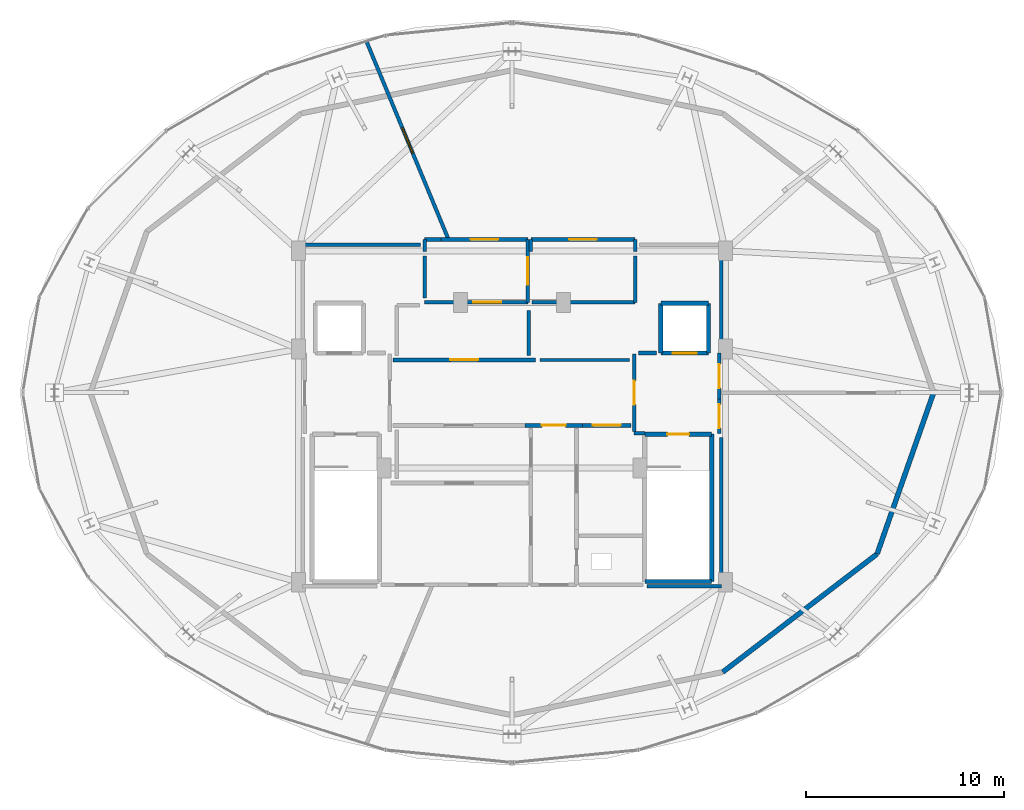
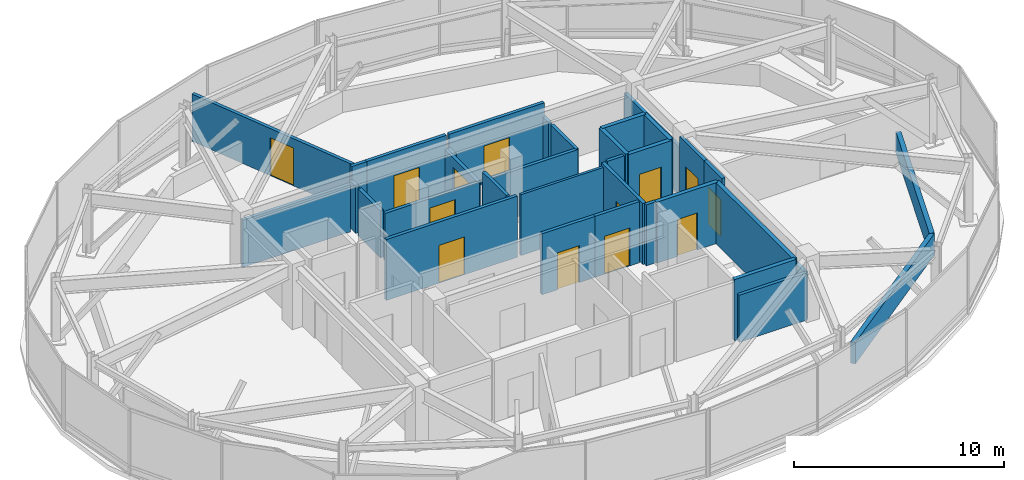
# One storey, part 26 of 28: 35 walls, 13 doors, 13 openings.
"""IFC4 building model written with IfcOpenShell, lengths in metres."""

from ifc_helpers import new_model, si_unit, direction, frame, frame_2d, origin, place, context, subcontext, project, spatial, rectangle, extrude, material, layer, layer_set, type_object, element, fill, save


model = new_model("IFC4")

# Units and contexts
model_context = context("Model", 3, precision=1e-05, world=origin(), true_north=direction((0.0, 1.0)))
body_context = subcontext(model_context, "Body", "Model", "MODEL_VIEW")
ifc_project = project(units=[si_unit("LENGTHUNIT", "METRE"), si_unit("AREAUNIT", "SQUARE_METRE"), si_unit("VOLUMEUNIT", "CUBIC_METRE"), si_unit("PLANEANGLEUNIT", "RADIAN"), si_unit("MASSUNIT", "GRAM", prefix="KILO")], contexts=[model_context])

# Site, building, storey
site_placement = place(None, origin())
site = spatial("IfcSite", under=ifc_project, at=site_placement, CompositionType="ELEMENT")
building_placement = place(site_placement, origin())
building = spatial("IfcBuilding", under=site, at=building_placement, Name="Vorneva Point Tower", CompositionType="ELEMENT")
storey_placement = place(building_placement, frame((0.0, 0.0, 295.39990234375)))
storey = spatial("IfcBuildingStorey", under=building, at=storey_placement, Name="C01", CompositionType="ELEMENT", Elevation=295.39990234375)

# Wall, opening, door
ifc_material_1 = material(Name="Concrete B60 (C50/60)", Category="concrete")
ifc_layer_1 = layer(ifc_material_1, 0.35009765625)
ifc_layer_set_1 = layer_set([ifc_layer_1], Name="Concrete B60 (C50/60)")
wall_type_1 = type_object("IfcWallType", Name="WL-CORE-350", PredefinedType="SHEAR", material=ifc_layer_set_1)
wall_1_placement = place(storey_placement, frame((45.5, 28.0, 0.0), z_axis=(0.0, 0.0, 1.0), x_axis=(1.0, 0.0, 0.0)))
wall_1 = element("IfcWall", 1, at=wall_1_placement, inside=storey, type_object=wall_type_1, Name="C01 Lift FFL2 Shaft Wall -Y", PredefinedType="SHEAR", context=body_context, shape_type="SweptSolid", body=[
    extrude(rectangle(XDim=2.39990234375, YDim=0.219970703125, at=frame_2d((1.199951171875, 0.0))), origin(), (0.0, 0.0, 1.0), 3.550048828125),
])
opening_1_placement = place(wall_1_placement, frame((0.60009765625, 0.0, 0.0)))
opening_1 = element("IfcOpeningElement", 2, at=opening_1_placement, cuts=wall_1, Name="Opening LD-02", PredefinedType="OPENING", context=body_context, shape_type="SweptSolid", body=[
    extrude(rectangle(XDim=1.199951171875, YDim=2.199951171875, at=frame_2d((0.60009765625, 1.10009765625))), frame((0.0, 0.125, 0.0), z_axis=(0.0, -1.0, 0.0), x_axis=(1.0, 0.0, 0.0)), (0.0, 0.0, 1.0), 0.249755859375),
])
ifc_material_2 = material(Name="Brushed stainless steel S304", Category="steel")
door_type_1 = type_object("IfcDoorType", Name="LD-FIRE-1200", OperationType="SLIDING_TO_LEFT", PredefinedType="DOOR", material=ifc_material_2)
door_1_placement = place(opening_1_placement, origin())
door_1 = element("IfcDoor", 3, at=door_1_placement, inside=storey, type_object=door_type_1, Name="C01 Lift FFL2 Sliding Landing Door", OperationType="SLIDING_TO_LEFT", OverallHeight=2.199951171875, OverallWidth=1.199951171875, PredefinedType="DOOR", context=body_context, shape_type="SweptSolid", body=[
    extrude(rectangle(XDim=1.199951171875, YDim=2.199951171875, at=frame_2d((0.60009765625, 1.10009765625))), frame((0.0, 0.02490234375, 0.0), z_axis=(0.0, -1.0, 0.0), x_axis=(1.0, 0.0, 0.0)), (0.0, 0.0, 1.0), 0.050048828125),
])
fill(opening_1, door_1)

# Walls
wall_2_placement = place(storey_placement, frame((47.89990234375, 28.0, 0.0), z_axis=(0.0, 0.0, 1.0), x_axis=(0.0, 1.0, 0.0)))
element("IfcWall", 4, at=wall_2_placement, inside=storey, type_object=wall_type_1, Name="C01 Lift FFL2 Shaft Wall +X", PredefinedType="SHEAR", context=body_context, shape_type="SweptSolid", body=[
    extrude(rectangle(XDim=2.5, YDim=0.219970703125, at=frame_2d((1.25, 0.0))), origin(), (0.0, 0.0, 1.0), 3.550048828125),
])
wall_3_placement = place(storey_placement, frame((47.89990234375, 30.5, 0.0), z_axis=(0.0, 0.0, 1.0), x_axis=(-1.0, 0.0, 0.0)))
element("IfcWall", 5, at=wall_3_placement, inside=storey, type_object=wall_type_1, Name="C01 Lift FFL2 Shaft Wall +Y", PredefinedType="SHEAR", context=body_context, shape_type="SweptSolid", body=[
    extrude(rectangle(XDim=2.39990234375, YDim=0.219970703125, at=frame_2d((1.199951171875, 0.0))), origin(), (0.0, 0.0, 1.0), 3.550048828125),
])
wall_4_placement = place(storey_placement, frame((45.5, 30.5, 0.0), z_axis=(0.0, 0.0, 1.0), x_axis=(0.0, -1.0, 0.0)))
element("IfcWall", 6, at=wall_4_placement, inside=storey, type_object=wall_type_1, Name="C01 Lift FFL2 Shaft Wall -X", PredefinedType="SHEAR", context=body_context, shape_type="SweptSolid", body=[
    extrude(rectangle(XDim=2.5, YDim=0.219970703125, at=frame_2d((1.25, 0.0))), origin(), (0.0, 0.0, 1.0), 3.550048828125),
])
ifc_material_3 = material(Name="Precast concrete B50 (C40/50)", Category="concrete")
ifc_layer_2 = layer(ifc_material_3, 0.25)
ifc_layer_set_2 = layer_set([ifc_layer_2], Name="Precast concrete B50 (C40/50)")
wall_type_2 = type_object("IfcWallType", Name="WL-PAR-250", PredefinedType="PARAPET", material=ifc_layer_set_2)
wall_5_placement = place(storey_placement, frame((48.62109375, 11.927001953125, 0.0), z_axis=(0.0, 0.0, 1.0), x_axis=(0.794235350053, 0.607610244092, 0.0)))
element("IfcWall", 7, at=wall_5_placement, inside=storey, type_object=wall_type_2, Name="C01 Crown Maintenance Parapet Ring Wall 11", PredefinedType="PARAPET", context=body_context, shape_type="SweptSolid", body=[
    extrude(rectangle(XDim=9.7890625, YDim=0.25, at=frame_2d((4.89453125, 0.0))), origin(), (0.0, 0.0, 1.0), 1.25),
])
wall_6_placement = place(storey_placement, frame((56.39599609375, 17.875, 0.0), z_axis=(0.0, 0.0, 1.0), x_axis=(0.330577790312, 0.943778747669, 0.0)))
element("IfcWall", 8, at=wall_6_placement, inside=storey, type_object=wall_type_2, Name="C01 Crown Maintenance Parapet Ring Wall 12", PredefinedType="PARAPET", context=body_context, shape_type="SweptSolid", body=[
    extrude(rectangle(XDim=8.609130859375, YDim=0.25, at=frame_2d((4.3046875, 0.0))), origin(), (0.0, 0.0, 1.0), 1.25),
])
ifc_material_4 = material(Name="Fire-rated acoustic gypsum stud partition", Category="gypsum")
ifc_layer_3 = layer(ifc_material_4, 0.139892578125)
ifc_layer_set_3 = layer_set([ifc_layer_3], Name="Fire-rated acoustic gypsum stud partition")
wall_type_3 = type_object("IfcWallType", Name="WL-PART-140", PredefinedType="PARTITIONING", material=ifc_layer_set_3)
wall_7_placement = place(storey_placement, frame((43.929931640625, 27.64990234375, 0.0), z_axis=(0.0, 0.0, 1.0), x_axis=(-1.0, 0.0, 0.0)))
element("IfcWall", 9, at=wall_7_placement, inside=storey, type_object=wall_type_3, Name="C01 Interior Closure Partition 034", PredefinedType="PARTITIONING", context=body_context, shape_type="SweptSolid", body=[
    extrude(rectangle(XDim=4.52001953125, YDim=0.139892578125, at=frame_2d((2.260009765625, 0.0))), origin(), (0.0, 0.0, 1.0), 3.550048828125),
])

# Wall, opening, door
ifc_material_5 = material(Name="Autoclaved aerated concrete blockwork", Category="masonry")
ifc_layer_4 = layer(ifc_material_5, 0.179931640625)
ifc_layer_set_4 = layer_set([ifc_layer_4], Name="Autoclaved aerated concrete blockwork")
wall_type_4 = type_object("IfcWallType", Name="WL-PART-180", PredefinedType="PARTITIONING", material=ifc_layer_set_4)
wall_8_placement = place(storey_placement, frame((44.14990234375, 27.955078125, 0.0), z_axis=(0.0, 0.0, 1.0), x_axis=(0.0, -1.0, 0.0)))
wall_8 = element("IfcWall", 10, at=wall_8_placement, inside=storey, type_object=wall_type_4, Name="C01 Interior Partition 003", PredefinedType="PARTITIONING", context=body_context, shape_type="SweptSolid", body=[
    extrude(rectangle(XDim=3.91015625, YDim=0.179931640625, at=frame_2d((1.955078125, 0.0))), origin(), (0.0, 0.0, 1.0), 3.550048828125),
])
opening_2_placement = place(wall_8_placement, frame((1.35498046875, 0.0, 0.0)))
opening_2 = element("IfcOpeningElement", 11, at=opening_2_placement, cuts=wall_8, Name="Opening FD-02", PredefinedType="OPENING", context=body_context, shape_type="SweptSolid", body=[
    extrude(rectangle(XDim=1.199951171875, YDim=2.14990234375, at=frame_2d((0.60009765625, 1.074951171875))), frame((0.0, 0.10498046875, 0.0), z_axis=(0.0, -1.0, 0.0), x_axis=(1.0, 0.0, 0.0)), (0.0, 0.0, 1.0), 0.209716796875),
])
ifc_material_6 = material(Name="Fire-rated powder-coated steel", Category="steel")
door_type_2 = type_object("IfcDoorType", Name="DR-FFL-1200", OperationType="NOTDEFINED", PredefinedType="DOOR", material=ifc_material_6)
door_2_placement = place(opening_2_placement, origin())
door_2 = element("IfcDoor", 12, at=door_2_placement, inside=storey, type_object=door_type_2, Name="C01 Door East Firefighting Lobby / Central Lift Lobby", OperationType="SINGLE_SWING_RIGHT", OverallHeight=2.14990234375, OverallWidth=1.199951171875, PredefinedType="DOOR", context=body_context, shape_type="SweptSolid", body=[
    extrude(rectangle(XDim=1.199951171875, YDim=2.14990234375, at=frame_2d((0.60009765625, 1.074951171875))), frame((0.0, 0.02490234375, 0.0), z_axis=(0.0, -1.0, 0.0), x_axis=(1.0, 0.0, 0.0)), (0.0, 0.0, 1.0), 0.050048828125),
])
fill(opening_2, door_2)

# Wall
wall_9_placement = place(storey_placement, frame((44.14990234375, 23.949951171875, 0.0), z_axis=(0.0, 0.0, 1.0), x_axis=(1.0, 0.0, 0.0)))
element("IfcWall", 13, at=wall_9_placement, inside=storey, type_object=wall_type_4, Name="C01 Interior Partition 004", PredefinedType="PARTITIONING", context=body_context, shape_type="SweptSolid", body=[
    extrude(rectangle(XDim=0.5400390625, YDim=0.179931640625, at=frame_2d((0.27001953125, 0.0))), origin(), (0.0, 0.0, 1.0), 3.550048828125),
])

# Wall, opening, door
wall_10_placement = place(storey_placement, frame((48.449951171875, 25.675048828125, 0.0), z_axis=(0.0, 0.0, 1.0), x_axis=(0.0, 1.0, 0.0)))
wall_10 = element("IfcWall", 14, at=wall_10_placement, inside=storey, type_object=wall_type_4, Name="C01 Interior Partition 005", PredefinedType="PARTITIONING", context=body_context, shape_type="SweptSolid", body=[
    extrude(rectangle(XDim=2.324951171875, YDim=0.179931640625, at=frame_2d((1.16259765625, 0.0))), origin(), (0.0, 0.0, 1.0), 3.550048828125),
])
opening_3_placement = place(wall_10_placement, frame((0.5625, 0.0, 0.0)))
opening_3 = element("IfcOpeningElement", 15, at=opening_3_placement, cuts=wall_10, Name="Opening FD-02", PredefinedType="OPENING", context=body_context, shape_type="SweptSolid", body=[
    extrude(rectangle(XDim=1.199951171875, YDim=2.14990234375, at=frame_2d((0.60009765625, 1.074951171875))), frame((0.0, 0.10498046875, 0.0), z_axis=(0.0, -1.0, 0.0), x_axis=(1.0, 0.0, 0.0)), (0.0, 0.0, 1.0), 0.209716796875),
])
door_3_placement = place(opening_3_placement, origin())
door_3 = element("IfcDoor", 16, at=door_3_placement, inside=storey, type_object=door_type_2, Name="C01 Door East Firefighting Lobby / Crown Tuned Mass Damper Plant Room", OperationType="SINGLE_SWING_LEFT", OverallHeight=2.14990234375, OverallWidth=1.199951171875, PredefinedType="DOOR", context=body_context, shape_type="SweptSolid", body=[
    extrude(rectangle(XDim=1.199951171875, YDim=2.14990234375, at=frame_2d((0.60009765625, 1.074951171875))), frame((0.0, 0.02490234375, 0.0), z_axis=(0.0, -1.0, 0.0), x_axis=(1.0, 0.0, 0.0)), (0.0, 0.0, 1.0), 0.050048828125),
])
fill(opening_3, door_3)

wall_11_placement = place(storey_placement, frame((48.449951171875, 23.949951171875, 0.0), z_axis=(0.0, 0.0, 1.0), x_axis=(0.0, 1.0, 0.0)))
wall_11 = element("IfcWall", 17, at=wall_11_placement, inside=storey, type_object=wall_type_4, Name="C01 Interior Partition 006", PredefinedType="PARTITIONING", context=body_context, shape_type="SweptSolid", body=[
    extrude(rectangle(XDim=1.72509765625, YDim=0.179931640625, at=frame_2d((0.862548828125, 0.0))), origin(), (0.0, 0.0, 1.0), 3.550048828125),
])
opening_4_placement = place(wall_11_placement, frame((0.262451171875, 0.0, 0.0)))
opening_4 = element("IfcOpeningElement", 18, at=opening_4_placement, cuts=wall_11, Name="Opening FD-02", PredefinedType="OPENING", context=body_context, shape_type="SweptSolid", body=[
    extrude(rectangle(XDim=1.199951171875, YDim=2.14990234375, at=frame_2d((0.60009765625, 1.074951171875))), frame((0.0, 0.10498046875, 0.0), z_axis=(0.0, -1.0, 0.0), x_axis=(1.0, 0.0, 0.0)), (0.0, 0.0, 1.0), 0.209716796875),
])
door_4_placement = place(opening_4_placement, origin())
door_4 = element("IfcDoor", 19, at=door_4_placement, inside=storey, type_object=door_type_2, Name="C01 Door East Firefighting Lobby / Crown Electrical Switchgear Plant Room", OperationType="SINGLE_SWING_LEFT", OverallHeight=2.14990234375, OverallWidth=1.199951171875, PredefinedType="DOOR", context=body_context, shape_type="SweptSolid", body=[
    extrude(rectangle(XDim=1.199951171875, YDim=2.14990234375, at=frame_2d((0.60009765625, 1.074951171875))), frame((0.0, 0.02490234375, 0.0), z_axis=(0.0, -1.0, 0.0), x_axis=(1.0, 0.0, 0.0)), (0.0, 0.0, 1.0), 0.050048828125),
])
fill(opening_4, door_4)

wall_12_placement = place(storey_placement, frame((38.64501953125, 24.35009765625, 0.0), z_axis=(0.0, 0.0, 1.0), x_axis=(1.0, 0.0, 0.0)))
wall_12 = element("IfcWall", 20, at=wall_12_placement, inside=storey, type_object=wall_type_4, Name="C01 Interior Partition 007", PredefinedType="PARTITIONING", context=body_context, shape_type="SweptSolid", body=[
    extrude(rectangle(XDim=2.909912109375, YDim=0.179931640625, at=frame_2d((1.455078125, 0.0))), origin(), (0.0, 0.0, 1.0), 3.550048828125),
])
opening_5_placement = place(wall_12_placement, frame((0.85498046875, 0.0, 0.0)))
opening_5 = element("IfcOpeningElement", 21, at=opening_5_placement, cuts=wall_12, Name="Opening FD-02", PredefinedType="OPENING", context=body_context, shape_type="SweptSolid", body=[
    extrude(rectangle(XDim=1.199951171875, YDim=2.14990234375, at=frame_2d((0.60009765625, 1.074951171875))), frame((0.0, 0.10498046875, 0.0), z_axis=(0.0, -1.0, 0.0), x_axis=(1.0, 0.0, 0.0)), (0.0, 0.0, 1.0), 0.209716796875),
])
door_5_placement = place(opening_5_placement, origin())
door_5 = element("IfcDoor", 22, at=door_5_placement, inside=storey, type_object=door_type_2, Name="C01 Door Central Lift Lobby / Core Service Lobby", OperationType="SINGLE_SWING_RIGHT", OverallHeight=2.14990234375, OverallWidth=1.199951171875, PredefinedType="DOOR", context=body_context, shape_type="SweptSolid", body=[
    extrude(rectangle(XDim=1.199951171875, YDim=2.14990234375, at=frame_2d((0.60009765625, 1.074951171875))), frame((0.0, 0.02490234375, 0.0), z_axis=(0.0, -1.0, 0.0), x_axis=(1.0, 0.0, 0.0)), (0.0, 0.0, 1.0), 0.050048828125),
])
fill(opening_5, door_5)

wall_13_placement = place(storey_placement, frame((41.554931640625, 24.35009765625, 0.0), z_axis=(0.0, 0.0, 1.0), x_axis=(1.0, 0.0, 0.0)))
wall_13 = element("IfcWall", 23, at=wall_13_placement, inside=storey, type_object=wall_type_4, Name="C01 Interior Partition 008", PredefinedType="PARTITIONING", context=body_context, shape_type="SweptSolid", body=[
    extrude(rectangle(XDim=2.445068359375, YDim=0.179931640625, at=frame_2d((1.22265625, 0.0))), origin(), (0.0, 0.0, 1.0), 3.550048828125),
])
opening_6_placement = place(wall_13_placement, frame((0.5224609375, 0.0, 0.0)))
opening_6 = element("IfcOpeningElement", 24, at=opening_6_placement, cuts=wall_13, Name="Opening FD-03", PredefinedType="OPENING", context=body_context, shape_type="SweptSolid", body=[
    extrude(rectangle(XDim=1.39990234375, YDim=2.199951171875, at=frame_2d((0.699951171875, 1.10009765625))), frame((0.0, 0.10498046875, 0.0), z_axis=(0.0, -1.0, 0.0), x_axis=(1.0, 0.0, 0.0)), (0.0, 0.0, 1.0), 0.209716796875),
])
door_type_3 = type_object("IfcDoorType", Name="DR-PLT-1400", OperationType="DOUBLE_SWING_LEFT", PredefinedType="DOOR", material=ifc_material_6)
door_6_placement = place(opening_6_placement, origin())
door_6 = element("IfcDoor", 25, at=door_6_placement, inside=storey, type_object=door_type_3, Name="C01 Door Central Lift Lobby / Core BMS Control Plant C01", OperationType="DOUBLE_SWING_LEFT", OverallHeight=2.199951171875, OverallWidth=1.39990234375, PredefinedType="DOOR", context=body_context, shape_type="SweptSolid", body=[
    extrude(rectangle(XDim=1.39990234375, YDim=2.199951171875, at=frame_2d((0.699951171875, 1.10009765625))), frame((0.0, 0.02490234375, 0.0), z_axis=(0.0, -1.0, 0.0), x_axis=(1.0, 0.0, 0.0)), (0.0, 0.0, 1.0), 0.050048828125),
])
fill(opening_6, door_6)

wall_14_placement = place(storey_placement, frame((39.18994140625, 27.64990234375, 0.0), z_axis=(0.0, 0.0, 1.0), x_axis=(-1.0, 0.0, 0.0)))
wall_14 = element("IfcWall", 26, at=wall_14_placement, inside=storey, type_object=wall_type_4, Name="C01 Interior Partition 009", PredefinedType="PARTITIONING", context=body_context, shape_type="SweptSolid", body=[
    extrude(rectangle(XDim=7.18994140625, YDim=0.179931640625, at=frame_2d((3.594970703125, 0.0))), origin(), (0.0, 0.0, 1.0), 3.550048828125),
])
opening_7_placement = place(wall_14_placement, frame((2.89501953125, 0.0, 0.0)))
opening_7 = element("IfcOpeningElement", 27, at=opening_7_placement, cuts=wall_14, Name="Opening FD-03", PredefinedType="OPENING", context=body_context, shape_type="SweptSolid", body=[
    extrude(rectangle(XDim=1.39990234375, YDim=2.199951171875, at=frame_2d((0.699951171875, 1.10009765625))), frame((0.0, 0.10498046875, 0.0), z_axis=(0.0, -1.0, 0.0), x_axis=(1.0, 0.0, 0.0)), (0.0, 0.0, 1.0), 0.209716796875),
])
door_7_placement = place(opening_7_placement, origin())
door_7 = element("IfcDoor", 28, at=door_7_placement, inside=storey, type_object=door_type_3, Name="C01 Door Central Lift Lobby / Crown Mechanical Plenum C01", OperationType="DOUBLE_SWING_LEFT", OverallHeight=2.199951171875, OverallWidth=1.39990234375, PredefinedType="DOOR", context=body_context, shape_type="SweptSolid", body=[
    extrude(rectangle(XDim=1.39990234375, YDim=2.199951171875, at=frame_2d((0.699951171875, 1.10009765625))), frame((0.0, 0.02490234375, 0.0), z_axis=(0.0, -1.0, 0.0), x_axis=(1.0, 0.0, 0.0)), (0.0, 0.0, 1.0), 0.050048828125),
])
fill(opening_7, door_7)

wall_15_placement = place(storey_placement, frame((38.800048828125, 30.550048828125, 0.0), z_axis=(0.0, 0.0, 1.0), x_axis=(0.0, 1.0, 0.0)))
wall_15 = element("IfcWall", 29, at=wall_15_placement, inside=storey, type_object=wall_type_4, Name="C01 Interior Partition 016", PredefinedType="PARTITIONING", context=body_context, shape_type="SweptSolid", body=[
    extrude(rectangle(XDim=3.169921875, YDim=0.179931640625, at=frame_2d((1.5849609375, 0.0))), origin(), (0.0, 0.0, 1.0), 2.7421875),
])
opening_8_placement = place(wall_15_placement, frame((0.885009765625, 0.0, 0.0)))
opening_8 = element("IfcOpeningElement", 30, at=opening_8_placement, cuts=wall_15, Name="Opening FD-03", PredefinedType="OPENING", context=body_context, shape_type="SweptSolid", body=[
    extrude(rectangle(XDim=1.39990234375, YDim=2.199951171875, at=frame_2d((0.699951171875, 1.10009765625))), frame((0.0, 0.10498046875, 0.0), z_axis=(0.0, -1.0, 0.0), x_axis=(1.0, 0.0, 0.0)), (0.0, 0.0, 1.0), 0.209716796875),
])
door_8_placement = place(opening_8_placement, origin())
door_8 = element("IfcDoor", 31, at=door_8_placement, inside=storey, type_object=door_type_3, Name="C01 Door Core Smoke Extract Plant C01 / Core Electrical Switchgear Room C01", OperationType="DOUBLE_SWING_LEFT", OverallHeight=2.199951171875, OverallWidth=1.39990234375, PredefinedType="DOOR", context=body_context, shape_type="SweptSolid", body=[
    extrude(rectangle(XDim=1.39990234375, YDim=2.199951171875, at=frame_2d((0.699951171875, 1.10009765625))), frame((0.0, 0.02490234375, 0.0), z_axis=(0.0, -1.0, 0.0), x_axis=(1.0, 0.0, 0.0)), (0.0, 0.0, 1.0), 0.050048828125),
])
fill(opening_8, door_8)

wall_16_placement = place(storey_placement, frame((33.60009765625, 30.550048828125, 0.0), z_axis=(0.0, 0.0, 1.0), x_axis=(1.0, 0.0, 0.0)))
wall_16 = element("IfcWall", 32, at=wall_16_placement, inside=storey, type_object=wall_type_4, Name="C01 Interior Partition 017", PredefinedType="PARTITIONING", context=body_context, shape_type="SweptSolid", body=[
    extrude(rectangle(XDim=5.199951171875, YDim=0.179931640625, at=frame_2d((2.60009765625, 0.0))), origin(), (0.0, 0.0, 1.0), 2.7421875),
])
opening_9_placement = place(wall_16_placement, frame((2.4599609375, 0.0, 0.0)))
opening_9 = element("IfcOpeningElement", 33, at=opening_9_placement, cuts=wall_16, Name="Opening FD-03", PredefinedType="OPENING", context=body_context, shape_type="SweptSolid", body=[
    extrude(rectangle(XDim=1.39990234375, YDim=2.199951171875, at=frame_2d((0.699951171875, 1.10009765625))), frame((0.0, 0.10498046875, 0.0), z_axis=(0.0, -1.0, 0.0), x_axis=(1.0, 0.0, 0.0)), (0.0, 0.0, 1.0), 0.209716796875),
])
door_9_placement = place(opening_9_placement, origin())
door_9 = element("IfcDoor", 34, at=door_9_placement, inside=storey, type_object=door_type_3, Name="C01 Door Core Smoke Extract Plant C01 / Crown Mechanical Plenum C01", OperationType="DOUBLE_SWING_LEFT", OverallHeight=2.199951171875, OverallWidth=1.39990234375, PredefinedType="DOOR", context=body_context, shape_type="SweptSolid", body=[
    extrude(rectangle(XDim=1.39990234375, YDim=2.199951171875, at=frame_2d((0.699951171875, 1.10009765625))), frame((0.0, 0.02490234375, 0.0), z_axis=(0.0, -1.0, 0.0), x_axis=(1.0, 0.0, 0.0)), (0.0, 0.0, 1.0), 0.050048828125),
])
fill(opening_9, door_9)

wall_17_placement = place(storey_placement, frame((38.800048828125, 33.719970703125, 0.0), z_axis=(0.0, 0.0, 1.0), x_axis=(-1.0, 0.0, 0.0)))
wall_17 = element("IfcWall", 35, at=wall_17_placement, inside=storey, type_object=wall_type_4, Name="C01 Interior Partition 018", PredefinedType="PARTITIONING", context=body_context, shape_type="SweptSolid", body=[
    extrude(rectangle(XDim=4.365966796875, YDim=0.179931640625, at=frame_2d((2.18310546875, 0.0))), origin(), (0.0, 0.0, 1.0), 3.550048828125),
])
opening_10_placement = place(wall_17_placement, frame((1.48291015625, 0.0, 0.0)))
opening_10 = element("IfcOpeningElement", 36, at=opening_10_placement, cuts=wall_17, Name="Opening FD-03", PredefinedType="OPENING", context=body_context, shape_type="SweptSolid", body=[
    extrude(rectangle(XDim=1.39990234375, YDim=2.199951171875, at=frame_2d((0.699951171875, 1.10009765625))), frame((0.0, 0.10498046875, 0.0), z_axis=(0.0, -1.0, 0.0), x_axis=(1.0, 0.0, 0.0)), (0.0, 0.0, 1.0), 0.209716796875),
])
door_10_placement = place(opening_10_placement, origin())
door_10 = element("IfcDoor", 37, at=door_10_placement, inside=storey, type_object=door_type_3, Name="C01 Door Core Smoke Extract Plant C01 / Crown Tuned Mass Damper Plant Room", OperationType="DOUBLE_SWING_LEFT", OverallHeight=2.199951171875, OverallWidth=1.39990234375, PredefinedType="DOOR", context=body_context, shape_type="SweptSolid", body=[
    extrude(rectangle(XDim=1.39990234375, YDim=2.199951171875, at=frame_2d((0.699951171875, 1.10009765625))), frame((0.0, 0.02490234375, 0.0), z_axis=(0.0, -1.0, 0.0), x_axis=(1.0, 0.0, 0.0)), (0.0, 0.0, 1.0), 0.050048828125),
])
fill(opening_10, door_10)

# Walls
wall_18_placement = place(storey_placement, frame((34.43408203125, 33.719970703125, 0.0), z_axis=(0.0, 0.0, 1.0), x_axis=(-1.0, 0.0, 0.0)))
element("IfcWall", 38, at=wall_18_placement, inside=storey, type_object=wall_type_4, Name="C01 Interior Partition 019", PredefinedType="PARTITIONING", context=body_context, shape_type="SweptSolid", body=[
    extrude(rectangle(XDim=0.833984375, YDim=0.179931640625, at=frame_2d((0.4169921875, 0.0))), origin(), (0.0, 0.0, 1.0), 3.550048828125),
])
wall_19_placement = place(storey_placement, frame((33.60009765625, 33.719970703125, 0.0), z_axis=(0.0, 0.0, 1.0), x_axis=(0.0, -1.0, 0.0)))
element("IfcWall", 39, at=wall_19_placement, inside=storey, type_object=wall_type_4, Name="C01 Interior Partition 020", PredefinedType="PARTITIONING", context=body_context, shape_type="SweptSolid", body=[
    extrude(rectangle(XDim=0.60986328125, YDim=0.179931640625, at=frame_2d((0.304931640625, 0.0))), origin(), (0.0, 0.0, 1.0), 2.7421875),
])

# Wall, opening, door
wall_20_placement = place(storey_placement, frame((44.199951171875, 33.719970703125, 0.0), z_axis=(0.0, 0.0, 1.0), x_axis=(-1.0, 0.0, 0.0)))
wall_20 = element("IfcWall", 40, at=wall_20_placement, inside=storey, type_object=wall_type_4, Name="C01 Interior Partition 021", PredefinedType="PARTITIONING", context=body_context, shape_type="SweptSolid", body=[
    extrude(rectangle(XDim=5.25, YDim=0.179931640625, at=frame_2d((2.625, 0.0))), origin(), (0.0, 0.0, 1.0), 3.550048828125),
])
opening_11_placement = place(wall_20_placement, frame((1.925048828125, 0.0, 0.0)))
opening_11 = element("IfcOpeningElement", 41, at=opening_11_placement, cuts=wall_20, Name="Opening FD-03", PredefinedType="OPENING", context=body_context, shape_type="SweptSolid", body=[
    extrude(rectangle(XDim=1.39990234375, YDim=2.199951171875, at=frame_2d((0.699951171875, 1.10009765625))), frame((0.0, 0.10498046875, 0.0), z_axis=(0.0, -1.0, 0.0), x_axis=(1.0, 0.0, 0.0)), (0.0, 0.0, 1.0), 0.209716796875),
])
door_11_placement = place(opening_11_placement, origin())
door_11 = element("IfcDoor", 42, at=door_11_placement, inside=storey, type_object=door_type_3, Name="C01 Door Core Electrical Switchgear Room C01 / Crown Tuned Mass Damper Plant Room", OperationType="DOUBLE_SWING_LEFT", OverallHeight=2.199951171875, OverallWidth=1.39990234375, PredefinedType="DOOR", context=body_context, shape_type="SweptSolid", body=[
    extrude(rectangle(XDim=1.39990234375, YDim=2.199951171875, at=frame_2d((0.699951171875, 1.10009765625))), frame((0.0, 0.02490234375, 0.0), z_axis=(0.0, -1.0, 0.0), x_axis=(1.0, 0.0, 0.0)), (0.0, 0.0, 1.0), 0.050048828125),
])
fill(opening_11, door_11)

# Walls
for number, where, z_axis, x_axis, name in (
    (43, (38.949951171875, 33.719970703125, 0.0), (0.0, 0.0, 1.0), (0.0, -1.0, 0.0), "C01 Interior Partition 022"),
    (44, (44.199951171875, 33.110107421875, 0.0), (0.0, 0.0, 1.0), (0.0, 1.0, 0.0), "C01 Interior Partition 023"),
):
    element("IfcWall", number, at=place(storey_placement, frame(where, z_axis=z_axis, x_axis=x_axis)), inside=storey, type_object=wall_type_4, Name=name, PredefinedType="PARTITIONING", context=body_context, shape_type="SweptSolid", body=[
        extrude(rectangle(XDim=0.60986328125, YDim=0.179931640625, at=frame_2d((0.304931640625, 0.0))), origin(), (0.0, 0.0, 1.0), 2.7421875),
    ])

# Wall, opening, door
wall_21_placement = place(storey_placement, frame((30.672119140625, 43.693115234375, 0.0), z_axis=(0.0, 0.0, 1.0), x_axis=(0.382594163497, -0.923916503835, 0.0)))
wall_21 = element("IfcWall", 45, at=wall_21_placement, inside=storey, type_object=wall_type_4, Name="C01 Interior Partition 029", PredefinedType="PARTITIONING", context=body_context, shape_type="SweptSolid", body=[
    extrude(rectangle(XDim=10.79443359375, YDim=0.179931640625, at=frame_2d((5.397216796875, 0.0))), origin(), (0.0, 0.0, 1.0), 2.7421875),
])
opening_12_placement = place(wall_21_placement, frame((4.697265625, 0.0, 0.0)))
opening_12 = element("IfcOpeningElement", 46, at=opening_12_placement, cuts=wall_21, Name="Opening FD-03", PredefinedType="OPENING", context=body_context, shape_type="SweptSolid", body=[
    extrude(rectangle(XDim=1.39990234375, YDim=2.199951171875, at=frame_2d((0.699951171875, 1.10009765625))), frame((0.0, 0.10498046875, 0.0), z_axis=(0.0, -1.0, 0.0), x_axis=(1.0, 0.0, 0.0)), (0.0, 0.0, 1.0), 0.209716796875),
])
door_12_placement = place(opening_12_placement, origin())
door_12 = element("IfcDoor", 47, at=door_12_placement, inside=storey, type_object=door_type_3, Name="C01 Door Crown Tuned Mass Damper Plant Room / Crown Heat Recovery Air Handling Plant", OperationType="DOUBLE_SWING_LEFT", OverallHeight=2.199951171875, OverallWidth=1.39990234375, PredefinedType="DOOR", context=body_context, shape_type="SweptSolid", body=[
    extrude(rectangle(XDim=1.39990234375, YDim=2.199951171875, at=frame_2d((0.699951171875, 1.10009765625))), frame((0.0, 0.02490234375, 0.0), z_axis=(0.0, -1.0, 0.0), x_axis=(1.0, 0.0, 0.0)), (0.0, 0.0, 1.0), 0.050048828125),
])
fill(opening_12, door_12)

# Walls
wall_22_placement = place(storey_placement, frame((45.280029296875, 28.0, 0.0), z_axis=(0.0, 0.0, 1.0), x_axis=(-1.0, 0.0, 0.0)))
element("IfcWall", 48, at=wall_22_placement, inside=storey, type_object=wall_type_4, Name="C01 Interior Closure Partition 033", PredefinedType="PARTITIONING", context=body_context, shape_type="SweptSolid", body=[
    extrude(rectangle(XDim=0.9150390625, YDim=0.179931640625, at=frame_2d((0.45751953125, 0.0))), origin(), (0.0, 0.0, 1.0), 3.550048828125),
])
wall_23_placement = place(storey_placement, frame((33.60009765625, 32.889892578125, 0.0), z_axis=(0.0, 0.0, 1.0), x_axis=(0.0, -1.0, 0.0)))
element("IfcWall", 49, at=wall_23_placement, inside=storey, type_object=wall_type_4, Name="C01 Interior Closure Partition 035", PredefinedType="PARTITIONING", context=body_context, shape_type="SweptSolid", body=[
    extrude(rectangle(XDim=2.119873046875, YDim=0.179931640625, at=frame_2d((1.06005859375, 0.0))), origin(), (0.0, 0.0, 1.0), 2.7421875),
])
wall_24_placement = place(storey_placement, frame((39.02001953125, 30.550048828125, 0.0), z_axis=(0.0, 0.0, 1.0), x_axis=(1.0, 0.0, 0.0)))
element("IfcWall", 50, at=wall_24_placement, inside=storey, type_object=wall_type_4, Name="C01 Interior Closure Partition 036", PredefinedType="PARTITIONING", context=body_context, shape_type="SweptSolid", body=[
    extrude(rectangle(XDim=5.179931640625, YDim=0.179931640625, at=frame_2d((2.58984375, 0.0))), origin(), (0.0, 0.0, 1.0), 2.7421875),
])
wall_25_placement = place(storey_placement, frame((44.199951171875, 30.550048828125, 0.0), z_axis=(0.0, 0.0, 1.0), x_axis=(0.0, 1.0, 0.0)))
element("IfcWall", 51, at=wall_25_placement, inside=storey, type_object=wall_type_4, Name="C01 Interior Closure Partition 037", PredefinedType="PARTITIONING", context=body_context, shape_type="SweptSolid", body=[
    extrude(rectangle(XDim=2.33984375, YDim=0.179931640625, at=frame_2d((1.169921875, 0.0))), origin(), (0.0, 0.0, 1.0), 2.7421875),
])
wall_26_placement = place(storey_placement, frame((38.85009765625, 27.8701171875, 0.0), z_axis=(0.0, 0.0, 1.0), x_axis=(0.0, 1.0, 0.0)))
element("IfcWall", 52, at=wall_26_placement, inside=storey, type_object=wall_type_4, Name="C01 Interior Closure Partition 040", PredefinedType="PARTITIONING", context=body_context, shape_type="SweptSolid", body=[
    extrude(rectangle(XDim=2.262939453125, YDim=0.179931640625, at=frame_2d((1.13134765625, 0.0))), origin(), (0.0, 0.0, 1.0), 3.550048828125),
])
wall_27_placement = place(storey_placement, frame((48.550048828125, 33.449951171875, 0.0), z_axis=(0.0, 0.0, 1.0), x_axis=(0.0, -1.0, 0.0)))
element("IfcWall", 53, at=wall_27_placement, inside=storey, type_object=wall_type_4, Name="C01 Interior Closure Partition 043", PredefinedType="PARTITIONING", context=body_context, shape_type="SweptSolid", body=[
    extrude(rectangle(XDim=5.25390625, YDim=0.179931640625, at=frame_2d((2.626953125, 0.0))), origin(), (0.0, 0.0, 1.0), 2.7421875),
])
wall_28_placement = place(storey_placement, frame((27.449951171875, 33.449951171875, 0.0), z_axis=(0.0, 0.0, 1.0), x_axis=(1.0, 0.0, 0.0)))
element("IfcWall", 54, at=wall_28_placement, inside=storey, type_object=wall_type_4, Name="C01 Interior Closure Partition 047", PredefinedType="PARTITIONING", context=body_context, shape_type="SweptSolid", body=[
    extrude(rectangle(XDim=5.929931640625, YDim=0.179931640625, at=frame_2d((2.96484375, 0.0))), origin(), (0.0, 0.0, 1.0), 2.7421875),
])
wall_29_placement = place(storey_placement, frame((48.550048828125, 23.75390625, 0.0), z_axis=(0.0, 0.0, 1.0), x_axis=(0.0, -1.0, 0.0)))
element("IfcWall", 55, at=wall_29_placement, inside=storey, type_object=wall_type_4, Name="C01 Interior Closure Partition 048", PredefinedType="PARTITIONING", context=body_context, shape_type="SweptSolid", body=[
    extrude(rectangle(XDim=7.513916015625, YDim=0.179931640625, at=frame_2d((3.7568359375, 0.0))), origin(), (0.0, 0.0, 1.0), 2.7421875),
])
wall_30_placement = place(storey_placement, frame((48.550048828125, 16.239990234375, 0.0), z_axis=(0.0, 0.0, 1.0), x_axis=(-1.0, 0.0, 0.0)))
element("IfcWall", 56, at=wall_30_placement, inside=storey, type_object=wall_type_4, Name="C01 Interior Closure Partition 049", PredefinedType="PARTITIONING", context=body_context, shape_type="SweptSolid", body=[
    extrude(rectangle(XDim=3.7451171875, YDim=0.179931640625, at=frame_2d((1.87255859375, 0.0))), origin(), (0.0, 0.0, 1.0), 2.7421875),
])

# Wall, opening, door
ifc_material_7 = material(Name="Concrete B50 (C40/50)", Category="concrete")
ifc_layer_5 = layer(ifc_material_7, 0.219970703125)
ifc_layer_set_5 = layer_set([ifc_layer_5], Name="Concrete B50 (C40/50)")
wall_type_5 = type_object("IfcWallType", Name="WL-SHFT-220", PredefinedType="SOLIDWALL", material=ifc_layer_set_5)
wall_31_placement = place(storey_placement, frame((44.68994140625, 23.909912109375, 0.0), z_axis=(0.0, 0.0, 1.0), x_axis=(1.0, 0.0, 0.0)))
wall_31 = element("IfcWall", 57, at=wall_31_placement, inside=storey, type_object=wall_type_5, Name="C01 Exit Stair ST2 Shaft Wall near", PredefinedType="SOLIDWALL", context=body_context, shape_type="SweptSolid", body=[
    extrude(rectangle(XDim=3.3701171875, YDim=0.219970703125, at=frame_2d((1.68505859375, 0.0))), origin(), (0.0, 0.0, 1.0), 3.550048828125),
])
opening_13_placement = place(wall_31_placement, frame((1.135009765625, 0.0, 0.0)))
opening_13 = element("IfcOpeningElement", 58, at=opening_13_placement, cuts=wall_31, Name="Opening FD-01", PredefinedType="OPENING", context=body_context, shape_type="SweptSolid", body=[
    extrude(rectangle(XDim=1.10009765625, YDim=2.14990234375, at=frame_2d((0.550048828125, 1.074951171875))), frame((0.0, 0.125, 0.0), z_axis=(0.0, -1.0, 0.0), x_axis=(1.0, 0.0, 0.0)), (0.0, 0.0, 1.0), 0.249755859375),
])
door_type_4 = type_object("IfcDoorType", Name="DR-STAIR-1100", OperationType="NOTDEFINED", PredefinedType="DOOR", material=ifc_material_6)
door_13_placement = place(opening_13_placement, origin())
door_13 = element("IfcDoor", 59, at=door_13_placement, inside=storey, type_object=door_type_4, Name="C01 Exit Stair ST2 Fire Door", OperationType="SINGLE_SWING_RIGHT", OverallHeight=2.14990234375, OverallWidth=1.10009765625, PredefinedType="DOOR", context=body_context, shape_type="SweptSolid", body=[
    extrude(rectangle(XDim=1.10009765625, YDim=2.14990234375, at=frame_2d((0.550048828125, 1.074951171875))), frame((0.0, 0.02490234375, 0.0), z_axis=(0.0, -1.0, 0.0), x_axis=(1.0, 0.0, 0.0)), (0.0, 0.0, 1.0), 0.050048828125),
])
fill(opening_13, door_13)

# Walls
wall_32_placement = place(storey_placement, frame((48.06005859375, 23.909912109375, 0.0), z_axis=(0.0, 0.0, 1.0), x_axis=(0.0, -1.0, 0.0)))
element("IfcWall", 60, at=wall_32_placement, inside=storey, type_object=wall_type_5, Name="C01 Exit Stair ST2 Shaft Wall right", PredefinedType="SOLIDWALL", context=body_context, shape_type="SweptSolid", body=[
    extrude(rectangle(XDim=7.419921875, YDim=0.219970703125, at=frame_2d((3.7099609375, 0.0))), origin(), (0.0, 0.0, 1.0), 3.550048828125),
])
wall_33_placement = place(storey_placement, frame((48.06005859375, 16.489990234375, 0.0), z_axis=(0.0, 0.0, 1.0), x_axis=(-1.0, 0.0, 0.0)))
element("IfcWall", 61, at=wall_33_placement, inside=storey, type_object=wall_type_5, Name="C01 Exit Stair ST2 Shaft Wall far", PredefinedType="SOLIDWALL", context=body_context, shape_type="SweptSolid", body=[
    extrude(rectangle(XDim=3.3701171875, YDim=0.219970703125, at=frame_2d((1.68505859375, 0.0))), origin(), (0.0, 0.0, 1.0), 3.550048828125),
])

save(model, "model.ifc")
